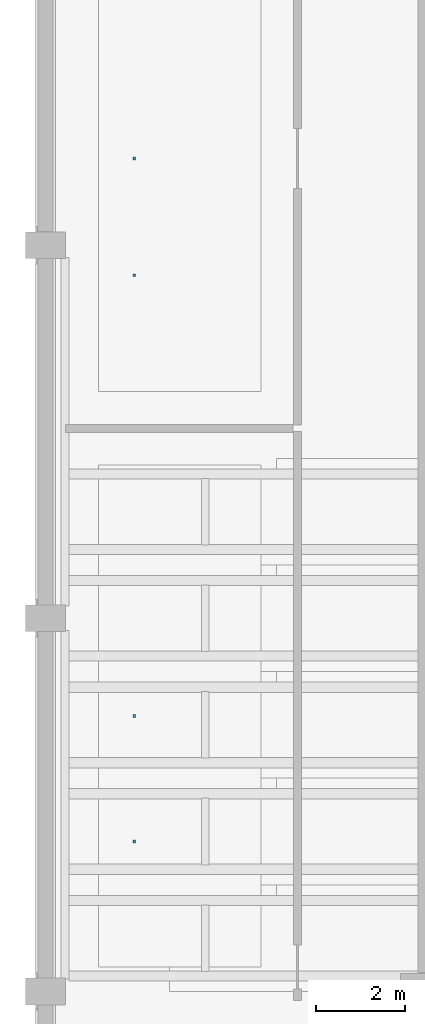
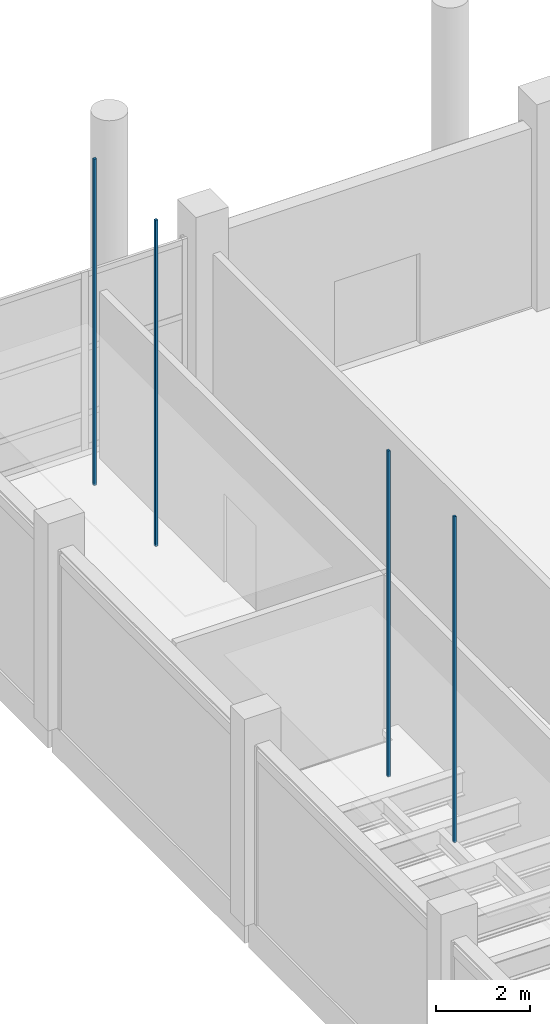
# One storey, part 68 of 140: 4 discrete accessories.
"""IFC4 building model written with IfcOpenShell, lengths in metres."""

from ifc_helpers import new_model, si_unit, direction, frame, origin, origin_2d, place, context, subcontext, project, spatial, rectangle, extrude, material, type_object, element, save


model = new_model("IFC4")

# Units and contexts
model_context = context("Model", 3, precision=1e-05, world=origin(), true_north=direction((0.0, 1.0)))
body_context = subcontext(model_context, "Body", "Model", "MODEL_VIEW")
ifc_project = project(units=[si_unit("LENGTHUNIT", "METRE"), si_unit("AREAUNIT", "SQUARE_METRE"), si_unit("VOLUMEUNIT", "CUBIC_METRE"), si_unit("PLANEANGLEUNIT", "RADIAN"), si_unit("MASSUNIT", "GRAM", prefix="KILO")], contexts=[model_context])

# Site, building, storey
site_placement = place(None, origin())
site = spatial("IfcSite", under=ifc_project, at=site_placement, CompositionType="ELEMENT")
building_placement = place(site_placement, origin())
building = spatial("IfcBuilding", under=site, at=building_placement, Name="Telukmera Botanical Conservatory", CompositionType="ELEMENT")
storey_placement = place(building_placement, origin())
storey = spatial("IfcBuildingStorey", under=building, at=storey_placement, Name="L00", CompositionType="ELEMENT", Elevation=0.0)

# Discrete accessories
ifc_material = material(Name="Steel S355", Category="steel")
discrete_accessory_type = type_object("IfcDiscreteAccessoryType", Name="ACC-CEIL-HGR", PredefinedType="BRACKET", material=ifc_material)
for number, where, z_axis, x_axis, name in (
    (1, (10.403076171875, 94.97509765625, 4.2197265625), (0.0, 0.0, 1.0), (1.0, 0.0, 0.0), "L00 Suspended Ceiling Hanger Rod 045-1"),
    (2, (10.403076171875, 97.800048828125, 4.2197265625), (0.0, 0.0, 1.0), (1.0, 0.0, 0.0), "L00 Suspended Ceiling Hanger Rod 045-2"),
):
    element("IfcDiscreteAccessory", number, at=place(storey_placement, frame(where, z_axis=z_axis, x_axis=x_axis)), inside=storey, type_object=discrete_accessory_type, Name=name, PredefinedType="BRACKET", context=body_context, shape_type="SweptSolid", body=[
        extrude(rectangle(XDim=0.06005859375, YDim=0.06005859375, at=origin_2d()), origin(), (0.0, 0.0, 1.0), 8.499267578125),
    ])
for number, where, z_axis, x_axis, name in (
    (3, (10.403076171875, 107.72509765625, 4.2099609375), (0.0, 0.0, 1.0), (1.0, 0.0, 0.0), "L00 Suspended Ceiling Hanger Rod 046-1"),
    (4, (10.403076171875, 110.35009765625, 4.2099609375), (0.0, 0.0, 1.0), (1.0, 0.0, 0.0), "L00 Suspended Ceiling Hanger Rod 046-2"),
):
    element("IfcDiscreteAccessory", number, at=place(storey_placement, frame(where, z_axis=z_axis, x_axis=x_axis)), inside=storey, type_object=discrete_accessory_type, Name=name, PredefinedType="BRACKET", context=body_context, shape_type="SweptSolid", body=[
        extrude(rectangle(XDim=0.06005859375, YDim=0.06005859375, at=origin_2d()), origin(), (0.0, 0.0, 1.0), 8.50927734375),
    ])

save(model, "model.ifc")
